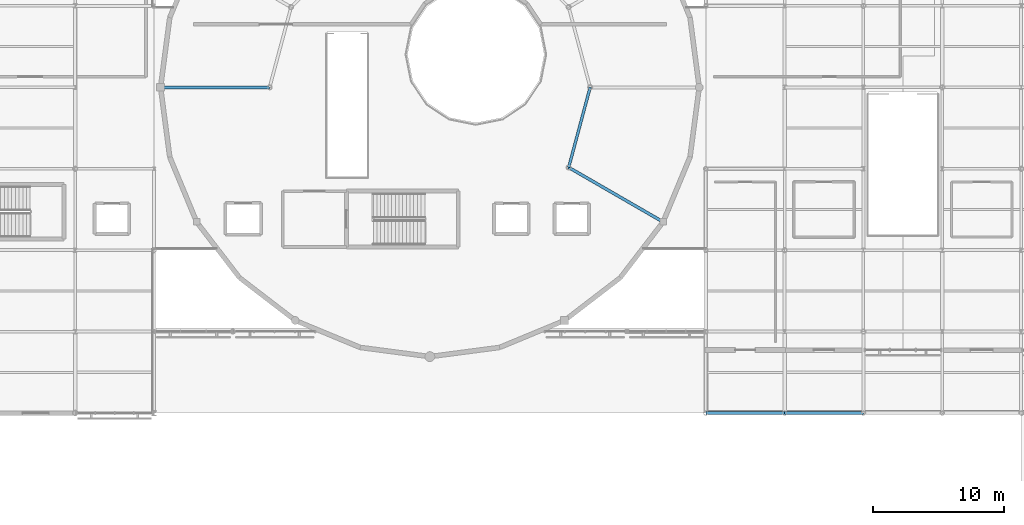
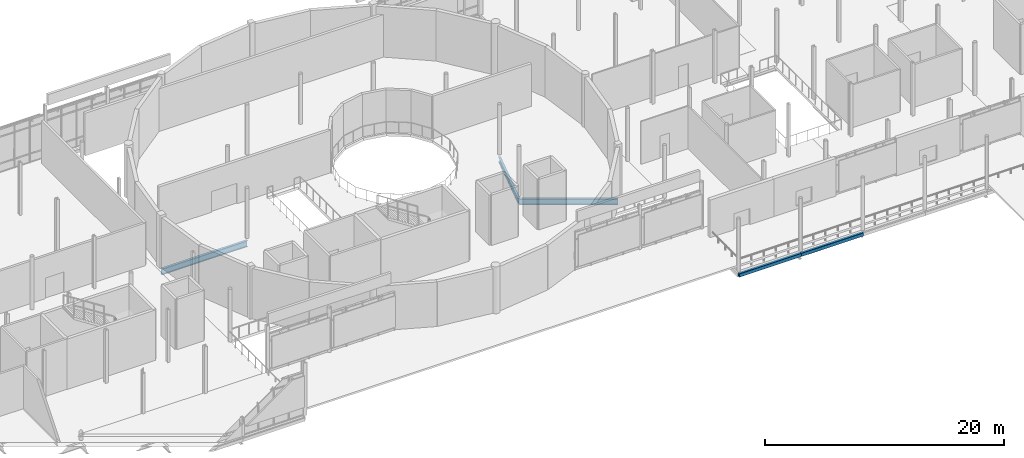
# One storey, part 30 of 105: 5 beams.
"""IFC4 building model written with IfcOpenShell, lengths in metres."""

from ifc_helpers import new_model, si_unit, direction, frame, origin, origin_2d, place, context, subcontext, project, spatial, hollow_rectangle, i_section, extrude, material, material_profile, profile_set, type_object, element, save


model = new_model("IFC4")

# Units and contexts
model_context = context("Model", 3, precision=1e-05, world=origin(), true_north=direction((0.0, 1.0)))
body_context = subcontext(model_context, "Body", "Model", "MODEL_VIEW")
ifc_project = project(units=[si_unit("LENGTHUNIT", "METRE"), si_unit("AREAUNIT", "SQUARE_METRE"), si_unit("VOLUMEUNIT", "CUBIC_METRE"), si_unit("PLANEANGLEUNIT", "RADIAN"), si_unit("MASSUNIT", "GRAM", prefix="KILO")], contexts=[model_context])

# Site, building, storey
site_placement = place(None, origin())
site = spatial("IfcSite", under=ifc_project, at=site_placement, CompositionType="ELEMENT")
building_placement = place(site_placement, origin())
building = spatial("IfcBuilding", under=site, at=building_placement, Name="Mirzam Square Science Centre", CompositionType="ELEMENT")
storey_placement = place(building_placement, frame((0.0, 0.0, 5.39990234375)))
storey = spatial("IfcBuildingStorey", under=building, at=storey_placement, Name="L01", CompositionType="ELEMENT", Elevation=5.39990234375)

# Beams
ifc_material = material(Name="Steel S355", Category="steel")
ifc_material_profile_1 = material_profile(ifc_material, i_section(OverallWidth=0.2099609375, OverallDepth=0.53662109375, WebThickness=0.0107421875, FlangeThickness=0.017333984375, FilletRadius=0.0126953125, at=origin_2d()), Name="533x210x101UB")
ifc_profile_set_1 = profile_set([ifc_material_profile_1], Name="Steel S355")
beam_type_1 = type_object("IfcBeamType", Name="BM-UB533", PredefinedType="BEAM", material=ifc_profile_set_1)
beam_placement = place(storey_placement, frame((91.5654296875, 55.89990234375, -0.548095703125), z_axis=(0.25881981979, 0.965925618712, 0.0), x_axis=(-0.965925618712, 0.25881981979, 0.0)))
element("IfcBeam", 1, at=beam_placement, inside=storey, type_object=beam_type_1, Name="L01 inner drum ring girder 12", PredefinedType="BEAM", context=body_context, shape_type="SweptSolid", body=[
    extrude(i_section(OverallWidth=0.2099609375, OverallDepth=0.53662109375, WebThickness=0.0107421875, FlangeThickness=0.017333984375, FilletRadius=0.0126953125, at=origin_2d()), origin(), (0.0, 0.0, 1.0), 6.315185546875),
])
ifc_material_profile_2 = material_profile(ifc_material, i_section(OverallWidth=0.22900390625, OverallDepth=0.6123046875, WebThickness=0.011962890625, FlangeThickness=0.01953125, FilletRadius=0.0126953125, at=origin_2d()), Name="610x229x125UB")
ifc_profile_set_2 = profile_set([ifc_material_profile_2], Name="Steel S355")
beam_type_2 = type_object("IfcBeamType", Name="BM-UB610", PredefinedType="BEAM", material=ifc_profile_set_2)
for number, where, z_axis, x_axis, name in (
    (2, (68.800048828125, 62.0, -0.5859375), (-1.0, 0.0, 0.0), (0.0, -1.0, 0.0), "L01 drum radial girder 07"),
    (3, (91.5654296875, 55.89990234375, -0.5859375), (0.86602981871, -0.499992353047, 0.0), (0.499992353047, 0.86602981871, 0.0), "L01 drum radial girder 12"),
):
    element("IfcBeam", number, at=place(storey_placement, frame(where, z_axis=z_axis, x_axis=x_axis)), inside=storey, type_object=beam_type_2, Name=name, PredefinedType="BEAM", context=body_context, shape_type="SweptSolid", body=[
        extrude(i_section(OverallWidth=0.22900390625, OverallDepth=0.6123046875, WebThickness=0.011962890625, FlangeThickness=0.01953125, FilletRadius=0.0126953125, at=origin_2d()), origin(), (0.0, 0.0, 1.0), 8.300048828125),
    ])
ifc_material_profile_3 = material_profile(ifc_material, hollow_rectangle(XDim=0.25, YDim=0.35009765625, WallThickness=0.012451171875, InnerFilletRadius=0.012451171875, OuterFilletRadius=0.02490234375, at=origin_2d()), Name="350x250x12.5RHS")
ifc_profile_set_3 = profile_set([ifc_material_profile_3], Name="Steel S355")
beam_type_3 = type_object("IfcBeamType", Name="SP-RHS350", PredefinedType="SPANDREL", material=ifc_profile_set_3)
for number, where, z_axis, x_axis, name in (
    (4, (102.0, 37.199951171875, -0.4248046875), (1.0, 0.0, 0.0), (0.0, 1.0, 0.0), "L01 girder X18-7"),
    (5, (108.0, 37.199951171875, -0.4248046875), (1.0, 0.0, 0.0), (0.0, 1.0, 0.0), "L01 girder X19-7"),
):
    element("IfcBeam", number, at=place(storey_placement, frame(where, z_axis=z_axis, x_axis=x_axis)), inside=storey, type_object=beam_type_3, Name=name, PredefinedType="SPANDREL", context=body_context, shape_type="SweptSolid", body=[
        extrude(hollow_rectangle(XDim=0.25, YDim=0.35009765625, WallThickness=0.012451171875, InnerFilletRadius=0.012451171875, OuterFilletRadius=0.02490234375, at=origin_2d()), origin(), (0.0, 0.0, 1.0), 6.0),
    ])

save(model, "model.ifc")
